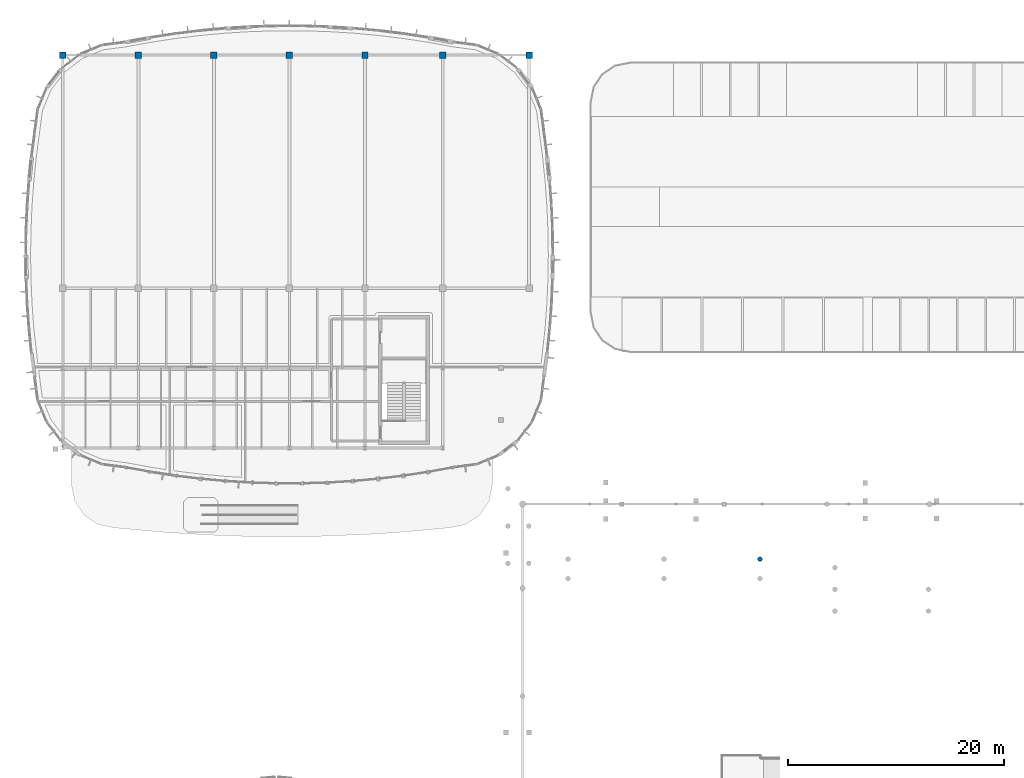
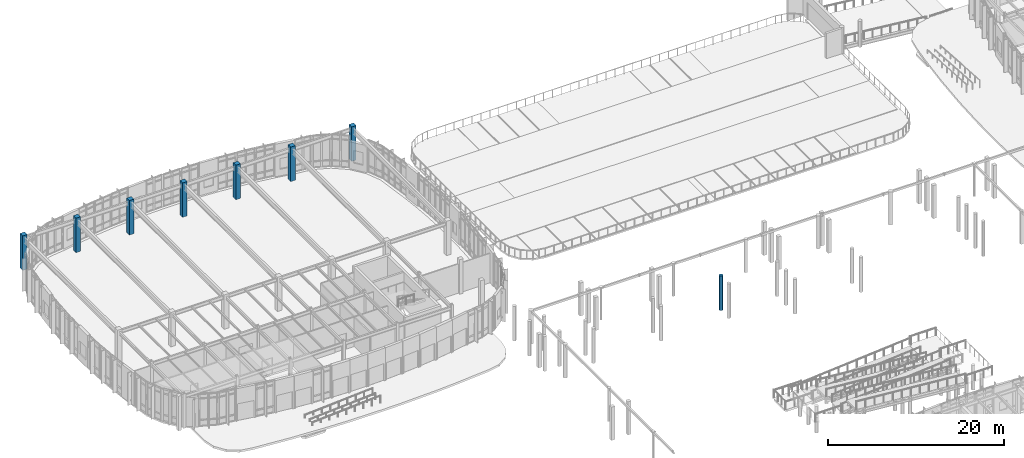
# One storey, part 10 of 120: 8 columns.
"""IFC4 building model written with IfcOpenShell, lengths in metres."""

from ifc_helpers import new_model, si_unit, direction, frame, origin, origin_2d, place, context, subcontext, project, spatial, rectangle, circle, extrude, material, material_profile, profile_set, type_object, element, save


model = new_model("IFC4")

# Units and contexts
model_context = context("Model", 3, precision=1e-05, world=origin(), true_north=direction((0.0, 1.0)))
body_context = subcontext(model_context, "Body", "Model", "MODEL_VIEW")
ifc_project = project(units=[si_unit("LENGTHUNIT", "METRE"), si_unit("AREAUNIT", "SQUARE_METRE"), si_unit("VOLUMEUNIT", "CUBIC_METRE"), si_unit("PLANEANGLEUNIT", "RADIAN"), si_unit("MASSUNIT", "GRAM", prefix="KILO")], contexts=[model_context])

# Site, building, storey
site_placement = place(None, origin())
site = spatial("IfcSite", under=ifc_project, at=site_placement, CompositionType="ELEMENT")
building_placement = place(site_placement, origin())
building = spatial("IfcBuilding", under=site, at=building_placement, Name="Corveleigh Park Community Centre", CompositionType="ELEMENT")
storey_placement = place(building_placement, origin())
storey = spatial("IfcBuildingStorey", under=building, at=storey_placement, Name="L00", CompositionType="ELEMENT", Elevation=0.0)

# Columns
ifc_material = material(Name="Concrete C40/50", Category="concrete")
ifc_material_profile_1 = material_profile(ifc_material, rectangle(XDim=0.60009765625, YDim=0.60009765625, at=origin_2d()), Name="RC-600x600", Category="concrete")
ifc_profile_set_1 = profile_set([ifc_material_profile_1], Name="Concrete C40/50")
column_type_1 = type_object("IfcColumnType", Name="COL-RC-600x600", PredefinedType="COLUMN", material=ifc_profile_set_1)
for number, where, z_axis, x_axis, name in (
    (1, (11.199951171875, 114.39990234375, 0.0), (0.0, 0.0, 1.0), (1.0, 0.0, 0.0), "Column V2-HN1 L00"),
    (2, (18.199951171875, 114.39990234375, 0.0), (0.0, 0.0, 1.0), (1.0, 0.0, 0.0), "Column V2-HN2 L00"),
    (3, (25.199951171875, 114.39990234375, 0.0), (0.0, 0.0, 1.0), (1.0, 0.0, 0.0), "Column V2-HN3 L00"),
    (4, (32.199951171875, 114.39990234375, 0.0), (0.0, 0.0, 1.0), (1.0, 0.0, 0.0), "Column V2-HN4 L00"),
    (5, (39.199951171875, 114.39990234375, 0.0), (0.0, 0.0, 1.0), (1.0, 0.0, 0.0), "Column V2-HN5 L00"),
    (6, (46.39990234375, 114.39990234375, 0.0), (0.0, 0.0, 1.0), (1.0, 0.0, 0.0), "Column V2-HN6 L00"),
    (7, (54.39990234375, 114.39990234375, 0.0), (0.0, 0.0, 1.0), (1.0, 0.0, 0.0), "Column V2-HN7 L00"),
):
    element("IfcColumn", number, at=place(storey_placement, frame(where, z_axis=z_axis, x_axis=x_axis)), inside=storey, type_object=column_type_1, Name=name, PredefinedType="COLUMN", context=body_context, shape_type="SweptSolid", body=[
        extrude(rectangle(XDim=0.60009765625, YDim=0.60009765625, at=origin_2d()), origin(), (0.0, 0.0, 1.0), 4.800048828125),
    ])
ifc_material_profile_2 = material_profile(ifc_material, circle(Radius=0.22509765625, at=origin_2d()), Name="RC-450D", Category="concrete")
ifc_profile_set_2 = profile_set([ifc_material_profile_2], Name="Concrete C40/50")
column_type_2 = type_object("IfcColumnType", Name="COL-RCE-450D", PredefinedType="COLUMN", material=ifc_profile_set_2)
column_placement = place(storey_placement, frame((75.7919921875, 67.699951171875, 0.0), z_axis=(0.0, 0.0, 1.0), x_axis=(1.0, 0.0, 0.0)))
element("IfcColumn", 8, at=column_placement, inside=storey, type_object=column_type_2, Name="External deck support pier 103 L00", PredefinedType="COLUMN", context=body_context, shape_type="SweptSolid", body=[
    extrude(circle(Radius=0.22509765625, at=origin_2d()), origin(), (0.0, 0.0, 1.0), 4.800048828125),
])

save(model, "model.ifc")
